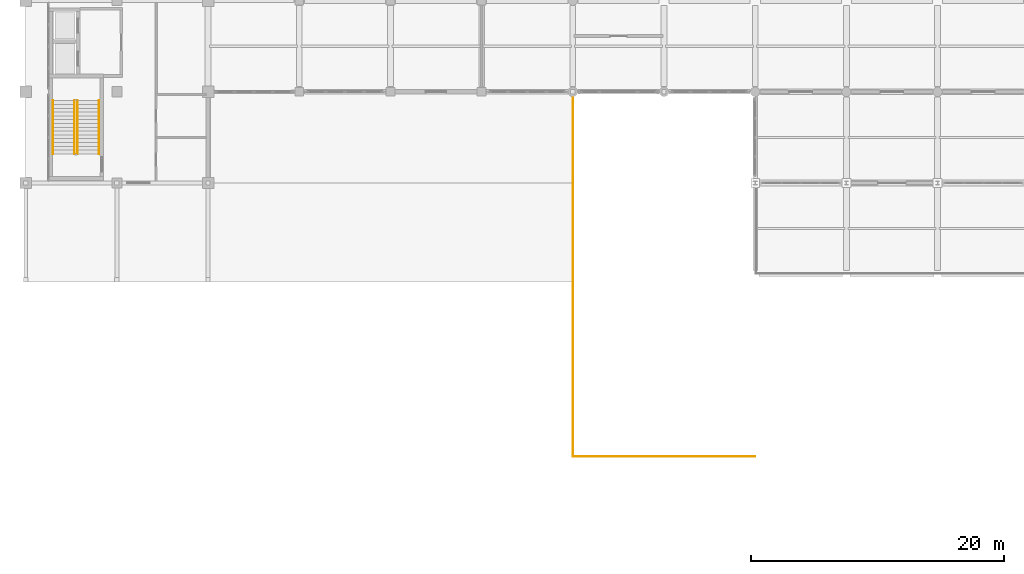
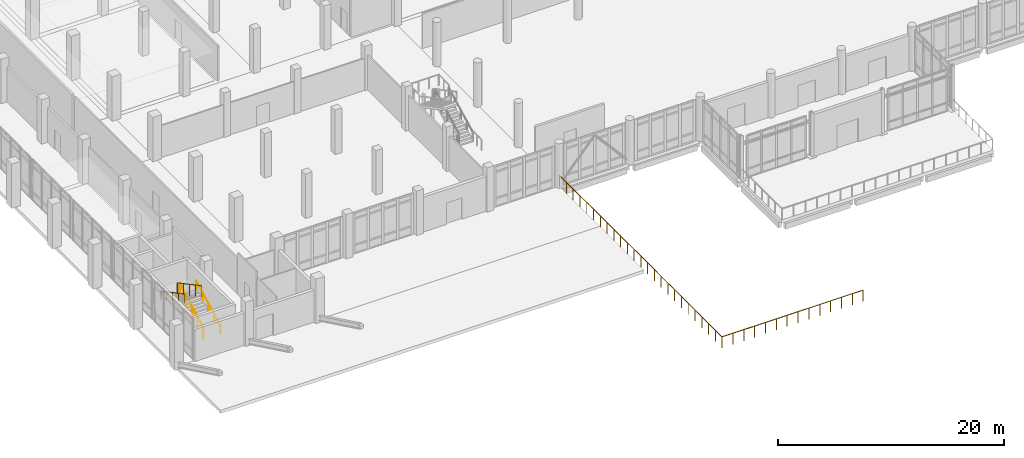
# One storey, part 47 of 59: 5 railings.
"""IFC4 building model written with IfcOpenShell, lengths in metres."""

from ifc_helpers import new_model, si_unit, direction, frame, origin, origin_2d, place, context, subcontext, project, spatial, circle, extrude, material, type_object, element, save


model = new_model("IFC4")

# Units and contexts
model_context = context("Model", 3, precision=1e-05, world=origin(), true_north=direction((0.0, 1.0)))
body_context = subcontext(model_context, "Body", "Model", "MODEL_VIEW")
ifc_project = project(units=[si_unit("LENGTHUNIT", "METRE"), si_unit("AREAUNIT", "SQUARE_METRE"), si_unit("VOLUMEUNIT", "CUBIC_METRE"), si_unit("PLANEANGLEUNIT", "RADIAN"), si_unit("MASSUNIT", "GRAM", prefix="KILO")], contexts=[model_context])

# Site, building, storey
site_placement = place(None, origin())
site = spatial("IfcSite", under=ifc_project, at=site_placement, CompositionType="ELEMENT")
building_placement = place(site_placement, origin())
building = spatial("IfcBuilding", under=site, at=building_placement, Name="Valkovuoma Quantum and Materials Research Institute", CompositionType="ELEMENT")
storey_placement = place(building_placement, origin())
storey = spatial("IfcBuildingStorey", under=building, at=storey_placement, Name="L00", CompositionType="ELEMENT", Elevation=0.0)

# Railings
ifc_material_1 = material(Name="Hot-dip galvanised and powder-coated steel guardrail", Category="steel")
railing_type_1 = type_object("IfcRailingType", Name="Rail-GRD-EXT", PredefinedType="BALUSTRADE", material=ifc_material_1)
railing_1_placement = place(storey_placement, frame((43.199951171875, 35.89990234375, 0.0)))
element("IfcRailing", 1, at=railing_1_placement, inside=storey, type_object=railing_type_1, Name="L00 perimeter balustrade 05", PredefinedType="BALUSTRADE", context=body_context, shape_type="SweptSolid", body=[
    extrude(circle(Radius=0.02392578125, at=origin_2d()), frame((0.0, 0.0, 1.17578125), z_axis=(0.0, -1.0, 0.0), x_axis=(1.0, 0.0, 0.0)), (0.0, 0.0, 1.0), 28.699951171875),
    extrude(circle(Radius=0.02392578125, at=origin_2d()), frame((0.0, -28.699951171875, 1.17578125), z_axis=(1.0, 0.0, 0.0), x_axis=(0.0, 1.0, 0.0)), (0.0, 0.0, 1.0), 14.400146484375),
    extrude(circle(Radius=0.02099609375, at=origin_2d()), origin(), (0.0, 0.0, 1.0), 1.15185546875),
    extrude(circle(Radius=0.02099609375, at=origin_2d()), frame((0.0, -1.19580078125, 0.0)), (0.0, 0.0, 1.0), 1.15185546875),
    extrude(circle(Radius=0.02099609375, at=origin_2d()), frame((0.0, -2.3916015625, 0.0)), (0.0, 0.0, 1.0), 1.15185546875),
    extrude(circle(Radius=0.02099609375, at=origin_2d()), frame((0.0, -3.58740234375, 0.0)), (0.0, 0.0, 1.0), 1.15185546875),
    extrude(circle(Radius=0.02099609375, at=origin_2d()), frame((0.0, -4.783203125, 0.0)), (0.0, 0.0, 1.0), 1.15185546875),
    extrude(circle(Radius=0.02099609375, at=origin_2d()), frame((0.0, -5.979248046875, 0.0)), (0.0, 0.0, 1.0), 1.15185546875),
    extrude(circle(Radius=0.02099609375, at=origin_2d()), frame((0.0, -7.175048828125, 0.0)), (0.0, 0.0, 1.0), 1.15185546875),
    extrude(circle(Radius=0.02099609375, at=origin_2d()), frame((0.0, -8.370849609375, 0.0)), (0.0, 0.0, 1.0), 1.15185546875),
    extrude(circle(Radius=0.02099609375, at=origin_2d()), frame((0.0, -9.566650390625, 0.0)), (0.0, 0.0, 1.0), 1.15185546875),
    extrude(circle(Radius=0.02099609375, at=origin_2d()), frame((0.0, -10.762451171875, 0.0)), (0.0, 0.0, 1.0), 1.15185546875),
    extrude(circle(Radius=0.02099609375, at=origin_2d()), frame((0.0, -11.958251953125, 0.0)), (0.0, 0.0, 1.0), 1.15185546875),
    extrude(circle(Radius=0.02099609375, at=origin_2d()), frame((0.0, -13.154052734375, 0.0)), (0.0, 0.0, 1.0), 1.15185546875),
    extrude(circle(Radius=0.02099609375, at=origin_2d()), frame((0.0, -14.35009765625, 0.0)), (0.0, 0.0, 1.0), 1.15185546875),
    extrude(circle(Radius=0.02099609375, at=origin_2d()), frame((0.0, -15.5458984375, 0.0)), (0.0, 0.0, 1.0), 1.15185546875),
    extrude(circle(Radius=0.02099609375, at=origin_2d()), frame((0.0, -16.74169921875, 0.0)), (0.0, 0.0, 1.0), 1.15185546875),
    extrude(circle(Radius=0.02099609375, at=origin_2d()), frame((0.0, -17.9375, 0.0)), (0.0, 0.0, 1.0), 1.15185546875),
    extrude(circle(Radius=0.02099609375, at=origin_2d()), frame((0.0, -19.13330078125, 0.0)), (0.0, 0.0, 1.0), 1.15185546875),
    extrude(circle(Radius=0.02099609375, at=origin_2d()), frame((0.0, -20.3291015625, 0.0)), (0.0, 0.0, 1.0), 1.15185546875),
    extrude(circle(Radius=0.02099609375, at=origin_2d()), frame((0.0, -21.52490234375, 0.0)), (0.0, 0.0, 1.0), 1.15185546875),
    extrude(circle(Radius=0.02099609375, at=origin_2d()), frame((0.0, -22.720703125, 0.0)), (0.0, 0.0, 1.0), 1.15185546875),
    extrude(circle(Radius=0.02099609375, at=origin_2d()), frame((0.0, -23.91650390625, 0.0)), (0.0, 0.0, 1.0), 1.15185546875),
    extrude(circle(Radius=0.02099609375, at=origin_2d()), frame((0.0, -25.112548828125, 0.0)), (0.0, 0.0, 1.0), 1.15185546875),
    extrude(circle(Radius=0.02099609375, at=origin_2d()), frame((0.0, -26.308349609375, 0.0)), (0.0, 0.0, 1.0), 1.15185546875),
    extrude(circle(Radius=0.02099609375, at=origin_2d()), frame((0.0, -27.504150390625, 0.0)), (0.0, 0.0, 1.0), 1.15185546875),
    extrude(circle(Radius=0.02099609375, at=origin_2d()), frame((0.0, -28.699951171875, 0.0)), (0.0, 0.0, 1.0), 1.15185546875),
    extrude(circle(Radius=0.02099609375, at=origin_2d()), frame((1.107666015625, -28.699951171875, 0.0)), (0.0, 0.0, 1.0), 1.15185546875),
    extrude(circle(Radius=0.02099609375, at=origin_2d()), frame((2.21533203125, -28.699951171875, 0.0)), (0.0, 0.0, 1.0), 1.15185546875),
    extrude(circle(Radius=0.02099609375, at=origin_2d()), frame((3.322998046875, -28.699951171875, 0.0)), (0.0, 0.0, 1.0), 1.15185546875),
    extrude(circle(Radius=0.02099609375, at=origin_2d()), frame((4.430908203125, -28.699951171875, 0.0)), (0.0, 0.0, 1.0), 1.15185546875),
    extrude(circle(Radius=0.02099609375, at=origin_2d()), frame((5.53857421875, -28.699951171875, 0.0)), (0.0, 0.0, 1.0), 1.15185546875),
    extrude(circle(Radius=0.02099609375, at=origin_2d()), frame((6.646240234375, -28.699951171875, 0.0)), (0.0, 0.0, 1.0), 1.15185546875),
    extrude(circle(Radius=0.02099609375, at=origin_2d()), frame((7.75390625, -28.699951171875, 0.0)), (0.0, 0.0, 1.0), 1.15185546875),
    extrude(circle(Radius=0.02099609375, at=origin_2d()), frame((8.861572265625, -28.699951171875, 0.0)), (0.0, 0.0, 1.0), 1.15185546875),
    extrude(circle(Radius=0.02099609375, at=origin_2d()), frame((9.96923828125, -28.699951171875, 0.0)), (0.0, 0.0, 1.0), 1.15185546875),
    extrude(circle(Radius=0.02099609375, at=origin_2d()), frame((11.0771484375, -28.699951171875, 0.0)), (0.0, 0.0, 1.0), 1.15185546875),
    extrude(circle(Radius=0.02099609375, at=origin_2d()), frame((12.184814453125, -28.699951171875, 0.0)), (0.0, 0.0, 1.0), 1.15185546875),
    extrude(circle(Radius=0.02099609375, at=origin_2d()), frame((13.29248046875, -28.699951171875, 0.0)), (0.0, 0.0, 1.0), 1.15185546875),
    extrude(circle(Radius=0.02099609375, at=origin_2d()), frame((14.400146484375, -28.699951171875, 0.0)), (0.0, 0.0, 1.0), 1.15185546875),
])
ifc_material_2 = material(Name="Painted steel stair balustrade", Category="steel")
railing_type_2 = type_object("IfcRailingType", Name="Rail-GRD-ST", PredefinedType="BALUSTRADE", material=ifc_material_2)
railing_2_placement = place(storey_placement, frame((4.10009765625, 31.10009765625, 0.159912109375)))
element("IfcRailing", 2, at=railing_2_placement, inside=storey, type_object=railing_type_2, Name="L00 ST-1 stair guard 1", PredefinedType="BALUSTRADE", context=body_context, shape_type="SweptSolid", body=[
    extrude(circle(Radius=0.02392578125, at=origin_2d()), frame((0.0, 0.0, 1.17578125), z_axis=(0.0, 0.882351521365, 0.470590897432), x_axis=(-1.0, 0.0, 0.0)), (0.0, 0.0, 1.0), 4.760009765625),
    extrude(circle(Radius=0.02099609375, at=origin_2d()), origin(), (0.0, 0.0, 1.0), 1.15185546875),
    extrude(circle(Radius=0.02099609375, at=origin_2d()), frame((0.0, 1.050048828125, 0.56005859375)), (0.0, 0.0, 1.0), 1.15185546875),
    extrude(circle(Radius=0.02099609375, at=origin_2d()), frame((0.0, 2.10009765625, 1.1201171875)), (0.0, 0.0, 1.0), 1.15185546875),
    extrude(circle(Radius=0.02099609375, at=origin_2d()), frame((0.0, 3.14990234375, 1.679931640625)), (0.0, 0.0, 1.0), 1.15185546875),
    extrude(circle(Radius=0.02099609375, at=origin_2d()), frame((0.0, 4.199951171875, 2.239990234375)), (0.0, 0.0, 1.0), 1.15185546875),
])
railing_3_placement = place(storey_placement, frame((3.85009765625, 35.300048828125, 2.56005859375)))
element("IfcRailing", 3, at=railing_3_placement, inside=storey, type_object=railing_type_2, Name="L00 ST-1 stair guard 3", PredefinedType="BALUSTRADE", context=body_context, shape_type="SweptSolid", body=[
    extrude(circle(Radius=0.02392578125, at=origin_2d()), frame((0.0, 0.0, 1.17578125), z_axis=(0.0, -0.882351521365, 0.470590897432), x_axis=(1.0, 0.0, 0.0)), (0.0, 0.0, 1.0), 4.760009765625),
    extrude(circle(Radius=0.02099609375, at=origin_2d()), origin(), (0.0, 0.0, 1.0), 1.15185546875),
    extrude(circle(Radius=0.02099609375, at=origin_2d()), frame((0.0, -1.050048828125, 0.56005859375)), (0.0, 0.0, 1.0), 1.15185546875),
    extrude(circle(Radius=0.02099609375, at=origin_2d()), frame((0.0, -2.10009765625, 1.1201171875)), (0.0, 0.0, 1.0), 1.15185546875),
    extrude(circle(Radius=0.02099609375, at=origin_2d()), frame((0.0, -3.14990234375, 1.679931640625)), (0.0, 0.0, 1.0), 1.15185546875),
    extrude(circle(Radius=0.02099609375, at=origin_2d()), frame((0.0, -4.199951171875, 2.239990234375)), (0.0, 0.0, 1.0), 1.15185546875),
])
ifc_material_3 = material(Name="Brushed stainless steel handrail", Category="steel")
railing_type_3 = type_object("IfcRailingType", Name="Rail-HR-ST", PredefinedType="HANDRAIL", material=ifc_material_3)
railing_4_placement = place(storey_placement, frame((5.800048828125, 31.10009765625, 0.159912109375)))
element("IfcRailing", 4, at=railing_4_placement, inside=storey, type_object=railing_type_3, Name="L00 ST-1 stair handrail 1", PredefinedType="HANDRAIL", context=body_context, shape_type="SweptSolid", body=[
    extrude(circle(Radius=0.02392578125, at=origin_2d()), frame((0.0, 0.0, 0.8759765625), z_axis=(0.0, 0.882351521365, 0.470590897432), x_axis=(-1.0, 0.0, 0.0)), (0.0, 0.0, 1.0), 4.760009765625),
    extrude(circle(Radius=0.02099609375, at=origin_2d()), origin(), (0.0, 0.0, 1.0), 0.851806640625),
    extrude(circle(Radius=0.02099609375, at=origin_2d()), frame((0.0, 1.050048828125, 0.56005859375)), (0.0, 0.0, 1.0), 0.851806640625),
    extrude(circle(Radius=0.02099609375, at=origin_2d()), frame((0.0, 2.10009765625, 1.1201171875)), (0.0, 0.0, 1.0), 0.851806640625),
    extrude(circle(Radius=0.02099609375, at=origin_2d()), frame((0.0, 3.14990234375, 1.679931640625)), (0.0, 0.0, 1.0), 0.851806640625),
    extrude(circle(Radius=0.02099609375, at=origin_2d()), frame((0.0, 4.199951171875, 2.239990234375)), (0.0, 0.0, 1.0), 0.851806640625),
])
railing_5_placement = place(storey_placement, frame((2.14990234375, 35.300048828125, 2.56005859375)))
element("IfcRailing", 5, at=railing_5_placement, inside=storey, type_object=railing_type_3, Name="L00 ST-1 stair handrail 2", PredefinedType="HANDRAIL", context=body_context, shape_type="SweptSolid", body=[
    extrude(circle(Radius=0.02392578125, at=origin_2d()), frame((0.0, 0.0, 0.8759765625), z_axis=(0.0, -0.882351521365, 0.470590897432), x_axis=(1.0, 0.0, 0.0)), (0.0, 0.0, 1.0), 4.760009765625),
    extrude(circle(Radius=0.02099609375, at=origin_2d()), origin(), (0.0, 0.0, 1.0), 0.851806640625),
    extrude(circle(Radius=0.02099609375, at=origin_2d()), frame((0.0, -1.050048828125, 0.56005859375)), (0.0, 0.0, 1.0), 0.851806640625),
    extrude(circle(Radius=0.02099609375, at=origin_2d()), frame((0.0, -2.10009765625, 1.1201171875)), (0.0, 0.0, 1.0), 0.851806640625),
    extrude(circle(Radius=0.02099609375, at=origin_2d()), frame((0.0, -3.14990234375, 1.679931640625)), (0.0, 0.0, 1.0), 0.851806640625),
    extrude(circle(Radius=0.02099609375, at=origin_2d()), frame((0.0, -4.199951171875, 2.239990234375)), (0.0, 0.0, 1.0), 0.851806640625),
])

save(model, "model.ifc")
